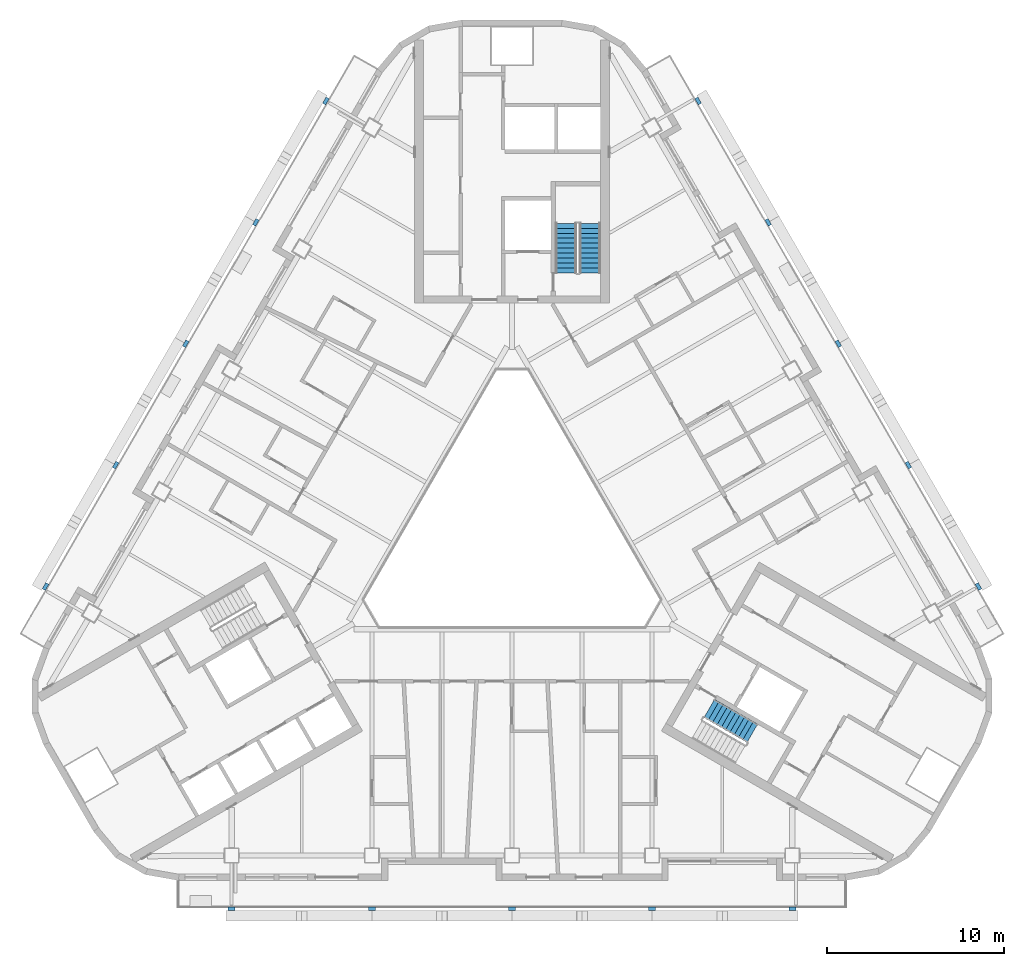
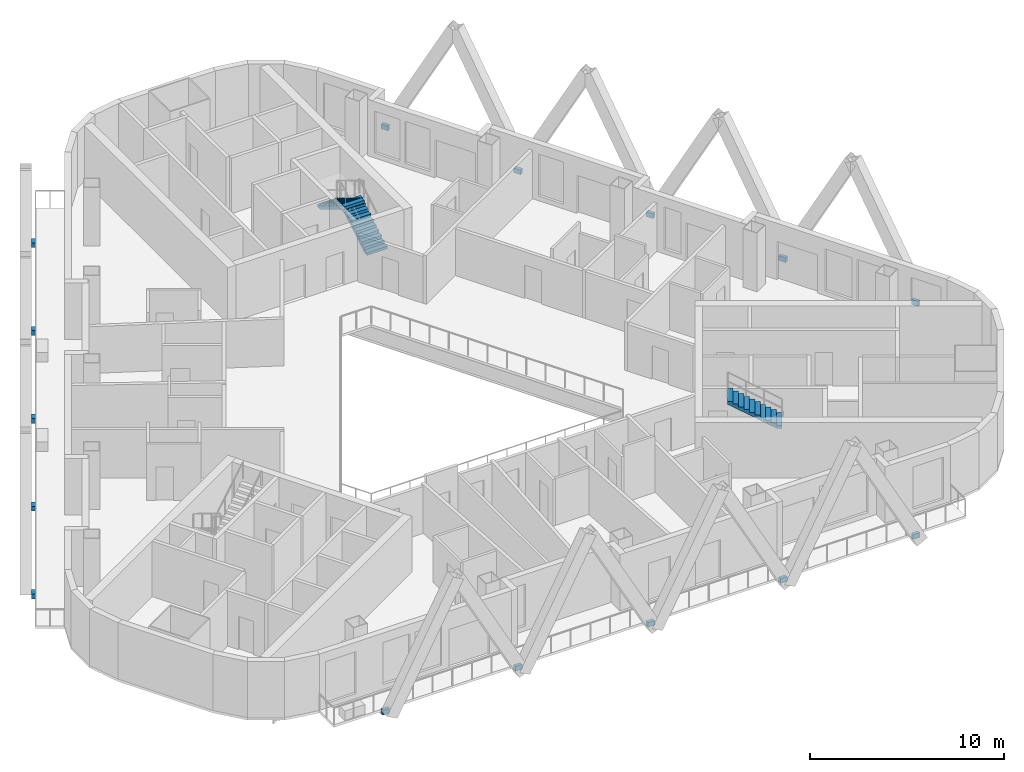
# One storey, part 11 of 17: 15 discrete accessories, 3 stair flights, 2 elements without a shape of their own.
"""IFC4 building model written with IfcOpenShell, lengths in metres."""

from ifc_helpers import new_model, si_unit, direction, frame, origin, origin_2d, place, context, subcontext, project, spatial, polyline, rectangle, outline, extrude, material, type_object, element, aggregate, save


model = new_model("IFC4")

# Units and contexts
model_context = context("Model", 3, precision=1e-05, world=origin(), true_north=direction((0.0, 1.0)))
body_context = subcontext(model_context, "Body", "Model", "MODEL_VIEW")
ifc_project = project(units=[si_unit("LENGTHUNIT", "METRE"), si_unit("AREAUNIT", "SQUARE_METRE"), si_unit("VOLUMEUNIT", "CUBIC_METRE"), si_unit("PLANEANGLEUNIT", "RADIAN"), si_unit("MASSUNIT", "GRAM", prefix="KILO")], contexts=[model_context])

# Site, building, storey
site_placement = place(None, origin())
site = spatial("IfcSite", under=ifc_project, at=site_placement, CompositionType="ELEMENT")
building_placement = place(site_placement, origin())
building = spatial("IfcBuilding", under=site, at=building_placement, Name="Apuvela Tower Hotel", CompositionType="ELEMENT")
storey_placement = place(building_placement, frame((0.0, 0.0, 146.60009765625)))
storey = spatial("IfcBuildingStorey", under=building, at=storey_placement, Name="L34", CompositionType="ELEMENT", Elevation=146.60009765625)

# Stair, stair flights
ifc_material_1 = material(Name="Concrete C50/60", Category="concrete")
stair_type = type_object("IfcStairType", Name="COR-STAIR-22R", PredefinedType="HALF_TURN_STAIR", material=ifc_material_1)
stair_1_placement = place(storey_placement, origin())
stair_1 = element("IfcStair", 1, at=stair_1_placement, inside=storey, type_object=stair_type, Name="L34 Exit stair ST1", PredefinedType="HALF_TURN_STAIR")
stair_flight_type = type_object("IfcStairFlightType", Name="COR-FLIGHT-11R", PredefinedType="STRAIGHT", material=ifc_material_1)
stair_flight_1_placement = place(storey_placement, frame((4.39990234375, 14.60009765625, 0.0), z_axis=(0.0, 0.0, 1.0), x_axis=(0.0, 1.0, 0.0)))
stair_flight_1 = element("IfcStairFlight", 2, at=stair_flight_1_placement, type_object=stair_flight_type, Name="ST1 flight 1", NumberOfRisers=11, NumberOfTreads=10, PredefinedType="STRAIGHT", RiserHeight=0.168181818, TreadLength=0.28, context=body_context, shape_type="SweptSolid", body=[
    extrude(outline(polyline([(0.0, 0.0), (0.0, 0.168212890625), (0.280029296875, 0.168212890625), (0.280029296875, 0.33642578125), (0.56005859375, 0.33642578125), (0.56005859375, 0.504638671875), (0.840087890625, 0.504638671875), (0.840087890625, 0.672607421875), (1.1201171875, 0.672607421875), (1.1201171875, 0.8408203125), (1.39990234375, 0.8408203125), (1.39990234375, 1.009033203125), (1.679931640625, 1.009033203125), (1.679931640625, 1.17724609375), (1.9599609375, 1.17724609375), (1.9599609375, 1.345458984375), (2.239990234375, 1.345458984375), (2.239990234375, 1.513671875), (2.52001953125, 1.513671875), (2.52001953125, 1.681884765625), (2.800048828125, 1.681884765625), (2.800048828125, 1.85009765625), (2.800048828125, 1.5068359375), (0.291015625, 0.0), (0.0, 0.0)])), frame((0.0, 0.60009765625, 0.0), z_axis=(0.0, -1.0, 0.0), x_axis=(1.0, 0.0, 0.0)), (0.0, 0.0, 1.0), 1.199951171875),
])
stair_flight_2_placement = place(storey_placement, frame((3.050048828125, 17.39990234375, 1.849853515625), z_axis=(0.0, 0.0, 1.0), x_axis=(0.0, -1.0, 0.0)))
stair_flight_2 = element("IfcStairFlight", 3, at=stair_flight_2_placement, type_object=stair_flight_type, Name="ST1 flight 2", NumberOfRisers=11, NumberOfTreads=10, PredefinedType="STRAIGHT", RiserHeight=0.168181818, TreadLength=0.28, context=body_context, shape_type="SweptSolid", body=[
    extrude(outline(polyline([(0.0, 0.0), (0.0, 0.168212890625), (0.280029296875, 0.168212890625), (0.280029296875, 0.33642578125), (0.56005859375, 0.33642578125), (0.56005859375, 0.504638671875), (0.840087890625, 0.504638671875), (0.840087890625, 0.672607421875), (1.1201171875, 0.672607421875), (1.1201171875, 0.8408203125), (1.39990234375, 0.8408203125), (1.39990234375, 1.009033203125), (1.679931640625, 1.009033203125), (1.679931640625, 1.17724609375), (1.9599609375, 1.17724609375), (1.9599609375, 1.345458984375), (2.239990234375, 1.345458984375), (2.239990234375, 1.513671875), (2.52001953125, 1.513671875), (2.52001953125, 1.681884765625), (2.800048828125, 1.681884765625), (2.800048828125, 1.85009765625), (2.800048828125, 1.5068359375), (0.291015625, 0.0), (0.0, 0.0)])), frame((0.0, 0.60009765625, 0.0), z_axis=(0.0, -1.0, 0.0), x_axis=(1.0, 0.0, 0.0)), (0.0, 0.0, 1.0), 1.199951171875),
])
aggregate(stair_1, [stair_flight_1, stair_flight_2])

# Stair, stair flight
stair_2_placement = place(storey_placement, origin())
stair_2 = element("IfcStair", 4, at=stair_2_placement, inside=storey, type_object=stair_type, Name="L34 Exit stair ST3", PredefinedType="HALF_TURN_STAIR")
stair_flight_3_placement = place(storey_placement, frame((13.5439453125, -11.34130859375, 1.849853515625), z_axis=(0.0, 0.0, 1.0), x_axis=(-0.866025403784, 0.5, 0.0)))
stair_flight_3 = element("IfcStairFlight", 5, at=stair_flight_3_placement, type_object=stair_flight_type, Name="ST3 flight 2", NumberOfRisers=11, NumberOfTreads=10, PredefinedType="STRAIGHT", RiserHeight=0.168181818, TreadLength=0.28, context=body_context, shape_type="SweptSolid", body=[
    extrude(outline(polyline([(0.0, 0.0), (0.0, 0.168212890625), (0.280029296875, 0.168212890625), (0.280029296875, 0.33642578125), (0.56005859375, 0.33642578125), (0.56005859375, 0.504638671875), (0.840087890625, 0.504638671875), (0.840087890625, 0.672607421875), (1.1201171875, 0.672607421875), (1.1201171875, 0.8408203125), (1.39990234375, 0.8408203125), (1.39990234375, 1.009033203125), (1.679931640625, 1.009033203125), (1.679931640625, 1.17724609375), (1.9599609375, 1.17724609375), (1.9599609375, 1.345458984375), (2.239990234375, 1.345458984375), (2.239990234375, 1.513671875), (2.52001953125, 1.513671875), (2.52001953125, 1.681884765625), (2.800048828125, 1.681884765625), (2.800048828125, 1.85009765625), (2.800048828125, 1.5068359375), (0.291015625, 0.0), (0.0, 0.0)])), frame((0.0, 0.60009765625, 0.0), z_axis=(0.0, -1.0, 0.0), x_axis=(1.0, 0.0, 0.0)), (0.0, 0.0, 1.0), 1.199951171875),
])
aggregate(stair_2, [stair_flight_3])

# Discrete accessories
ifc_material_2 = material(Name="Steel S355, black paint system", Category="steel")
discrete_accessory_type = type_object("IfcDiscreteAccessoryType", Name="ENV-FIN-BRACKET", PredefinedType="BRACKET", material=ifc_material_2)
for number, where, z_axis, x_axis, name in (
    (6, (26.28564453125, -3.068115234375, -0.25), (0.0, 0.0, 1.0), (-0.5, 0.866025403784, 0.0), "Fin bracket NE60"),
    (7, (22.335693359375, 3.7734375, -0.25), (0.0, 0.0, 1.0), (-0.5, 0.866025403784, 0.0), "Fin bracket NE61"),
    (8, (18.3857421875, 10.614990234375, -0.25), (0.0, 0.0, 1.0), (-0.5, 0.866025403784, 0.0), "Fin bracket NE62"),
    (9, (14.435791015625, 17.45654296875, -0.25), (0.0, 0.0, 1.0), (-0.5, 0.866025403784, 0.0), "Fin bracket NE63"),
    (10, (10.485595703125, 24.298095703125, -0.25), (0.0, 0.0, 1.0), (-0.5, 0.866025403784, 0.0), "Fin bracket NE64"),
    (11, (-10.485595703125, 24.298095703125, -0.25), (0.0, 0.0, 1.0), (-0.5, -0.866025403784, 0.0), "Fin bracket NW209"),
    (12, (-14.435791015625, 17.45654296875, -0.25), (0.0, 0.0, 1.0), (-0.5, -0.866025403784, 0.0), "Fin bracket NW210"),
    (13, (-18.3857421875, 10.614990234375, -0.25), (0.0, 0.0, 1.0), (-0.5, -0.866025403784, 0.0), "Fin bracket NW211"),
    (14, (-22.335693359375, 3.7734375, -0.25), (0.0, 0.0, 1.0), (-0.5, -0.866025403784, 0.0), "Fin bracket NW212"),
    (15, (-26.28564453125, -3.068115234375, -0.25), (0.0, 0.0, 1.0), (-0.5, -0.866025403784, 0.0), "Fin bracket NW213"),
    (16, (-15.800048828125, -21.22998046875, -0.25), (0.0, 0.0, 1.0), (1.0, 0.0, 0.0), "Fin bracket S359"),
    (17, (-7.89990234375, -21.22998046875, -0.25), (0.0, 0.0, 1.0), (1.0, 0.0, 0.0), "Fin bracket S360"),
    (18, (0.0, -21.22998046875, -0.25), (0.0, 0.0, 1.0), (1.0, 0.0, 0.0), "Fin bracket S361"),
    (19, (7.89990234375, -21.22998046875, -0.25), (0.0, 0.0, 1.0), (1.0, 0.0, 0.0), "Fin bracket S362"),
    (20, (15.800048828125, -21.22998046875, -0.25), (0.0, 0.0, 1.0), (1.0, 0.0, 0.0), "Fin bracket S363"),
):
    element("IfcDiscreteAccessory", number, at=place(storey_placement, frame(where, z_axis=z_axis, x_axis=x_axis)), inside=storey, type_object=discrete_accessory_type, Name=name, PredefinedType="BRACKET", context=body_context, shape_type="SweptSolid", body=[
        extrude(rectangle(XDim=0.39990234375, YDim=0.199951171875, at=origin_2d()), origin(), (0.0, 0.0, 1.0), 0.300048828125),
    ])

save(model, "model.ifc")
